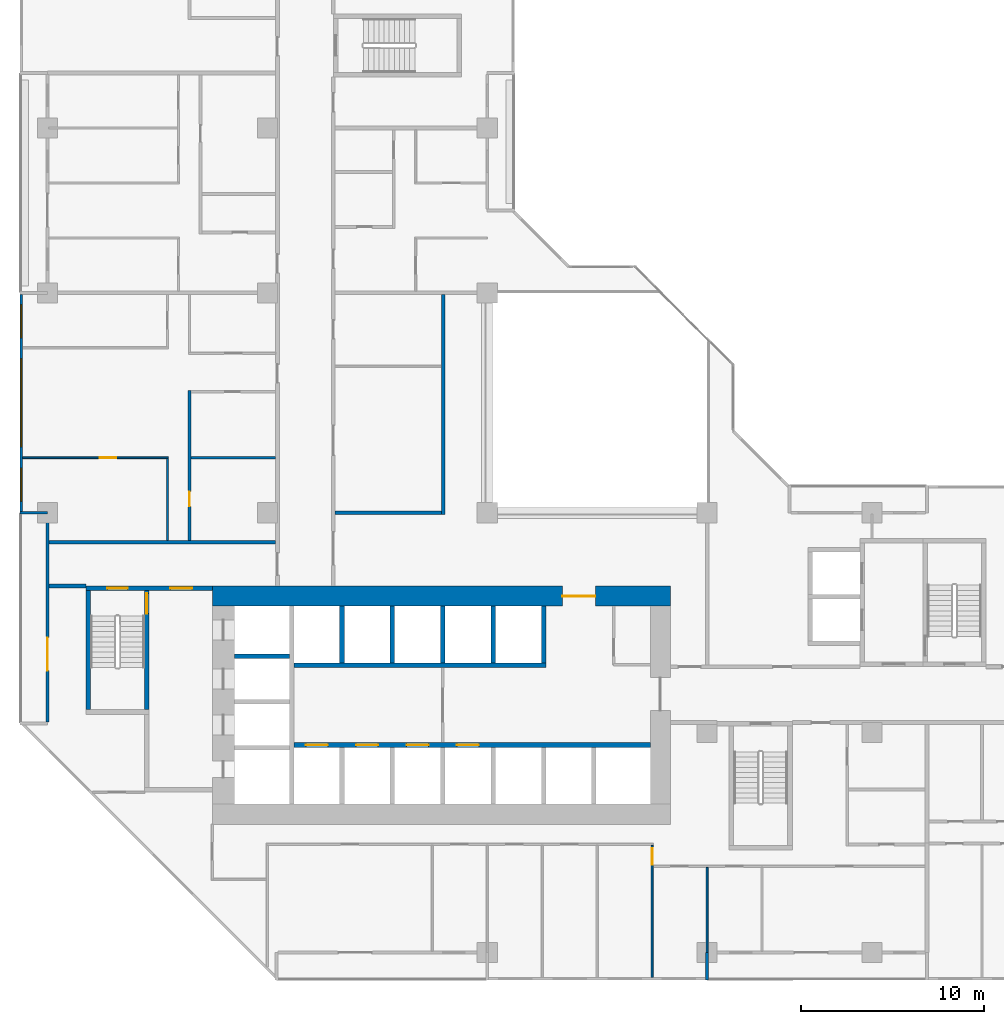
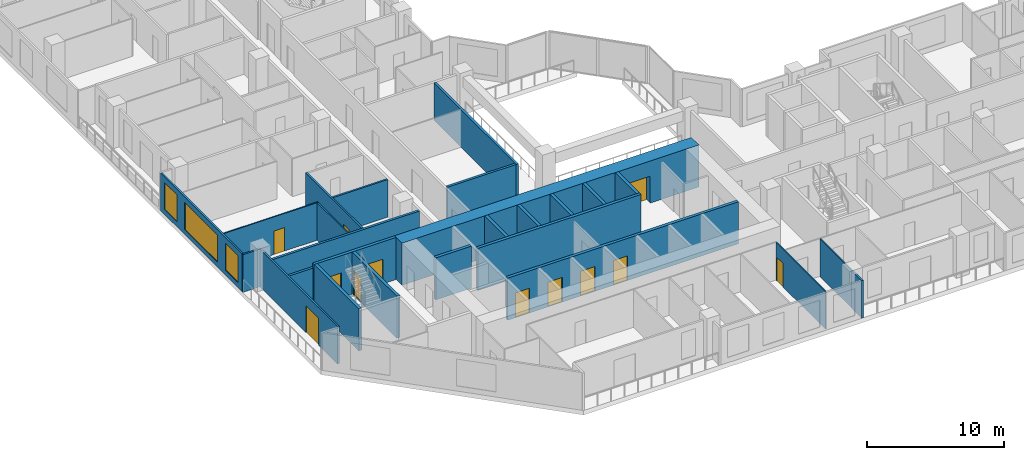
# One storey, part 5 of 16: 26 walls, 12 doors, 3 windows, 15 openings.
"""IFC4 building model written with IfcOpenShell, lengths in metres."""

from ifc_helpers import new_model, si_unit, direction, frame, frame_2d, origin, place, context, subcontext, project, spatial, rectangle, extrude, material, layer, layer_set, type_object, element, fill, save


model = new_model("IFC4")

# Units and contexts
model_context = context("Model", 3, precision=1e-05, world=origin(), true_north=direction((0.0, 1.0)))
body_context = subcontext(model_context, "Body", "Model", "MODEL_VIEW")
ifc_project = project(units=[si_unit("LENGTHUNIT", "METRE"), si_unit("AREAUNIT", "SQUARE_METRE"), si_unit("VOLUMEUNIT", "CUBIC_METRE"), si_unit("PLANEANGLEUNIT", "RADIAN"), si_unit("MASSUNIT", "GRAM", prefix="KILO")], contexts=[model_context])

# Site, building, storey
site_placement = place(None, origin())
site = spatial("IfcSite", under=ifc_project, at=site_placement, CompositionType="ELEMENT")
building_placement = place(site_placement, origin())
building = spatial("IfcBuilding", under=site, at=building_placement, Name="Chenar Terraces", CompositionType="ELEMENT")
storey_placement = place(building_placement, frame((0.0, 0.0, 75.14990234375)))
storey = spatial("IfcBuildingStorey", under=building, at=storey_placement, Name="L16", CompositionType="ELEMENT", Elevation=75.14990234375)

# Wall, opening, door
ifc_material_1 = material(Name="Concrete C70/85", Category="concrete")
ifc_layer_1 = layer(ifc_material_1, 1.10009765625)
ifc_layer_set_1 = layer_set([ifc_layer_1], Name="Concrete C70/85")
wall_type_1 = type_object("IfcWallType", Name="Core wall 1100 Concrete C70/85", PredefinedType="SHEAR", material=ifc_layer_set_1)
wall_1_placement = place(storey_placement, frame((9.0, 19.449951171875, 0.0), z_axis=(0.0, 0.0, 1.0), x_axis=(1.0, 0.0, 0.0)))
wall_1 = element("IfcWall", 1, at=wall_1_placement, inside=storey, type_object=wall_type_1, Name="Core wall N L16", PredefinedType="SHEAR", context=body_context, shape_type="SweptSolid", body=[
    extrude(rectangle(XDim=25.0, YDim=1.10009765625, at=frame_2d((12.5, 0.0))), origin(), (0.0, 0.0, 1.0), 3.75),
])
opening_1_placement = place(wall_1_placement, frame((19.10009765625, 0.0, 0.0)))
opening_1 = element("IfcOpeningElement", 2, at=opening_1_placement, cuts=wall_1, Name="Opening DL16-C2", PredefinedType="OPENING", context=body_context, shape_type="SweptSolid", body=[
    extrude(rectangle(XDim=1.800048828125, YDim=2.39990234375, at=frame_2d((0.89990234375, 1.199951171875))), frame((0.0, 0.56005859375, 0.0), z_axis=(0.0, -1.0, 0.0), x_axis=(1.0, 0.0, 0.0)), (0.0, 0.0, 1.0), 1.1201171875),
])
ifc_material_2 = material(Name="Steel-framed fire-resisting door leaf", Category="steel")
door_type_1 = type_object("IfcDoorType", Name="Core entrance double fire door FD60 1800 x 2400", OperationType="DOUBLE_DOOR_SINGLE_SWING", PredefinedType="DOOR", material=ifc_material_2)
door_1_placement = place(opening_1_placement, frame((1.800048828125, 0.0, 0.0), z_axis=(0.0, 0.0, 1.0), x_axis=(-1.0, 0.0, 0.0)))
door_1 = element("IfcDoor", 3, at=door_1_placement, inside=storey, type_object=door_type_1, Name="Core door DL16-C2", OperationType="DOUBLE_DOOR_SINGLE_SWING", OverallHeight=2.39990234375, OverallWidth=1.800048828125, PredefinedType="DOOR", context=body_context, shape_type="SweptSolid", body=[
    extrude(rectangle(XDim=1.800048828125, YDim=2.39990234375, at=frame_2d((0.89990234375, 1.199951171875))), frame((0.0, 0.02490234375, 0.0), z_axis=(0.0, -1.0, 0.0), x_axis=(1.0, 0.0, 0.0)), (0.0, 0.0, 1.0), 0.050048828125),
])
fill(opening_1, door_1)

# Wall, openings, doors
ifc_material_3 = material(Name="Concrete C70/85", Category="concrete")
ifc_layer_2 = layer(ifc_material_3, 0.25)
ifc_layer_set_2 = layer_set([ifc_layer_2], Name="Concrete C70/85")
wall_type_2 = type_object("IfcWallType", Name="Core wall 250 Concrete C70/85", PredefinedType="SHEAR", material=ifc_layer_set_2)
wall_2_placement = place(storey_placement, frame((13.449951171875, 11.324951171875, 0.0), z_axis=(0.0, 0.0, 1.0), x_axis=(1.0, 0.0, 0.0)))
wall_2 = element("IfcWall", 4, at=wall_2_placement, inside=storey, type_object=wall_type_2, Name="Core wall SF L16", PredefinedType="SHEAR", context=body_context, shape_type="SweptSolid", body=[
    extrude(rectangle(XDim=19.449951171875, YDim=0.25, at=frame_2d((9.72509765625, 0.0))), origin(), (0.0, 0.0, 1.0), 3.75),
])
opening_2_placement = place(wall_2_placement, frame((0.64990234375, 0.0, 0.0)))
opening_2 = element("IfcOpeningElement", 5, at=opening_2_placement, cuts=wall_2, Name="Opening DL16-LD1", PredefinedType="OPENING", context=body_context, shape_type="SweptSolid", body=[
    extrude(rectangle(XDim=1.199951171875, YDim=2.199951171875, at=frame_2d((0.60009765625, 1.10009765625))), frame((0.0, 0.135009765625, 0.0), z_axis=(0.0, -1.0, 0.0), x_axis=(1.0, 0.0, 0.0)), (0.0, 0.0, 1.0), 0.27001953125),
])
opening_3_placement = place(wall_2_placement, frame((3.39990234375, 0.0, 0.0)))
opening_3 = element("IfcOpeningElement", 6, at=opening_3_placement, cuts=wall_2, Name="Opening DL16-LD2", PredefinedType="OPENING", context=body_context, shape_type="SweptSolid", body=[
    extrude(rectangle(XDim=1.199951171875, YDim=2.199951171875, at=frame_2d((0.60009765625, 1.10009765625))), frame((0.0, 0.135009765625, 0.0), z_axis=(0.0, -1.0, 0.0), x_axis=(1.0, 0.0, 0.0)), (0.0, 0.0, 1.0), 0.27001953125),
])
opening_4_placement = place(wall_2_placement, frame((6.14990234375, 0.0, 0.0)))
opening_4 = element("IfcOpeningElement", 7, at=opening_4_placement, cuts=wall_2, Name="Opening DL16-LD3", PredefinedType="OPENING", context=body_context, shape_type="SweptSolid", body=[
    extrude(rectangle(XDim=1.199951171875, YDim=2.199951171875, at=frame_2d((0.60009765625, 1.10009765625))), frame((0.0, 0.135009765625, 0.0), z_axis=(0.0, -1.0, 0.0), x_axis=(1.0, 0.0, 0.0)), (0.0, 0.0, 1.0), 0.27001953125),
])
opening_5_placement = place(wall_2_placement, frame((8.89990234375, 0.0, 0.0)))
opening_5 = element("IfcOpeningElement", 8, at=opening_5_placement, cuts=wall_2, Name="Opening DL16-LD4", PredefinedType="OPENING", context=body_context, shape_type="SweptSolid", body=[
    extrude(rectangle(XDim=1.199951171875, YDim=2.199951171875, at=frame_2d((0.60009765625, 1.10009765625))), frame((0.0, 0.135009765625, 0.0), z_axis=(0.0, -1.0, 0.0), x_axis=(1.0, 0.0, 0.0)), (0.0, 0.0, 1.0), 0.27001953125),
])
ifc_material_4 = material(Name="Stainless steel", Category="steel")
door_type_2 = type_object("IfcDoorType", Name="Lift landing door 1200 x 2200 sliding", OperationType="DOUBLE_DOOR_SLIDING", PredefinedType="DOOR", material=ifc_material_4)
door_2_placement = place(opening_2_placement, origin())
door_2 = element("IfcDoor", 9, at=door_2_placement, inside=storey, type_object=door_type_2, Name="Landing door L1", OperationType="DOUBLE_DOOR_SLIDING", OverallHeight=2.199951171875, OverallWidth=1.199951171875, PredefinedType="DOOR", context=body_context, shape_type="SweptSolid", body=[
    extrude(rectangle(XDim=1.199951171875, YDim=2.199951171875, at=frame_2d((0.60009765625, 1.10009765625))), frame((0.0, 0.02490234375, 0.0), z_axis=(0.0, -1.0, 0.0), x_axis=(1.0, 0.0, 0.0)), (0.0, 0.0, 1.0), 0.050048828125),
])
fill(opening_2, door_2)
door_3_placement = place(opening_3_placement, origin())
door_3 = element("IfcDoor", 10, at=door_3_placement, inside=storey, type_object=door_type_2, Name="Landing door L2", OperationType="DOUBLE_DOOR_SLIDING", OverallHeight=2.199951171875, OverallWidth=1.199951171875, PredefinedType="DOOR", context=body_context, shape_type="SweptSolid", body=[
    extrude(rectangle(XDim=1.199951171875, YDim=2.199951171875, at=frame_2d((0.60009765625, 1.10009765625))), frame((0.0, 0.02490234375, 0.0), z_axis=(0.0, -1.0, 0.0), x_axis=(1.0, 0.0, 0.0)), (0.0, 0.0, 1.0), 0.050048828125),
])
fill(opening_3, door_3)
door_4_placement = place(opening_4_placement, origin())
door_4 = element("IfcDoor", 11, at=door_4_placement, inside=storey, type_object=door_type_2, Name="Landing door L3", OperationType="DOUBLE_DOOR_SLIDING", OverallHeight=2.199951171875, OverallWidth=1.199951171875, PredefinedType="DOOR", context=body_context, shape_type="SweptSolid", body=[
    extrude(rectangle(XDim=1.199951171875, YDim=2.199951171875, at=frame_2d((0.60009765625, 1.10009765625))), frame((0.0, 0.02490234375, 0.0), z_axis=(0.0, -1.0, 0.0), x_axis=(1.0, 0.0, 0.0)), (0.0, 0.0, 1.0), 0.050048828125),
])
fill(opening_4, door_4)
door_5_placement = place(opening_5_placement, origin())
door_5 = element("IfcDoor", 12, at=door_5_placement, inside=storey, type_object=door_type_2, Name="Landing door L4", OperationType="DOUBLE_DOOR_SLIDING", OverallHeight=2.199951171875, OverallWidth=1.199951171875, PredefinedType="DOOR", context=body_context, shape_type="SweptSolid", body=[
    extrude(rectangle(XDim=1.199951171875, YDim=2.199951171875, at=frame_2d((0.60009765625, 1.10009765625))), frame((0.0, 0.02490234375, 0.0), z_axis=(0.0, -1.0, 0.0), x_axis=(1.0, 0.0, 0.0)), (0.0, 0.0, 1.0), 0.050048828125),
])
fill(opening_5, door_5)

# Walls
wall_3_placement = place(storey_placement, frame((13.449951171875, 15.675048828125, 0.0), z_axis=(0.0, 0.0, 1.0), x_axis=(1.0, 0.0, 0.0)))
element("IfcWall", 13, at=wall_3_placement, inside=storey, type_object=wall_type_2, Name="Core wall NF L16", PredefinedType="SHEAR", context=body_context, shape_type="SweptSolid", body=[
    extrude(rectangle(XDim=13.75, YDim=0.25, at=frame_2d((6.875, 0.0))), origin(), (0.0, 0.0, 1.0), 3.75),
])
wall_4_placement = place(storey_placement, frame((10.199951171875, 16.175048828125, 0.0), z_axis=(0.0, 0.0, 1.0), x_axis=(1.0, 0.0, 0.0)))
element("IfcWall", 14, at=wall_4_placement, inside=storey, type_object=wall_type_2, Name="Core wall HW2 L16", PredefinedType="SHEAR", context=body_context, shape_type="SweptSolid", body=[
    extrude(rectangle(XDim=3.0, YDim=0.25, at=frame_2d((1.5, 0.0))), origin(), (0.0, 0.0, 1.0), 3.75),
])
for number, where, z_axis, x_axis, name in (
    (15, (16.074951171875, 15.800048828125, 0.0), (0.0, 0.0, 1.0), (0.0, 1.0, 0.0), "Core wall NS0 L16"),
    (16, (18.824951171875, 15.800048828125, 0.0), (0.0, 0.0, 1.0), (0.0, 1.0, 0.0), "Core wall NS1 L16"),
    (17, (21.574951171875, 15.800048828125, 0.0), (0.0, 0.0, 1.0), (0.0, 1.0, 0.0), "Core wall NS2 L16"),
    (18, (24.324951171875, 15.800048828125, 0.0), (0.0, 0.0, 1.0), (0.0, 1.0, 0.0), "Core wall NS3 L16"),
    (19, (27.074951171875, 15.800048828125, 0.0), (0.0, 0.0, 1.0), (0.0, 1.0, 0.0), "Core wall NE L16"),
):
    element("IfcWall", number, at=place(storey_placement, frame(where, z_axis=z_axis, x_axis=x_axis)), inside=storey, type_object=wall_type_2, Name=name, PredefinedType="SHEAR", context=body_context, shape_type="SweptSolid", body=[
        extrude(rectangle(XDim=3.099853515625, YDim=0.25, at=frame_2d((1.5498046875, 0.0))), origin(), (0.0, 0.0, 1.0), 3.75),
    ])

# Wall, openings, doors
wall_5_placement = place(storey_placement, frame((2.10009765625, 19.875, 0.0), z_axis=(0.0, 0.0, 1.0), x_axis=(1.0, 0.0, 0.0)))
wall_5 = element("IfcWall", 20, at=wall_5_placement, inside=storey, type_object=wall_type_2, Name="Core wall A_N L16", PredefinedType="SHEAR", context=body_context, shape_type="SweptSolid", body=[
    extrude(rectangle(XDim=6.89990234375, YDim=0.25, at=frame_2d((3.449951171875, 0.0))), origin(), (0.0, 0.0, 1.0), 3.75),
])
opening_6_placement = place(wall_5_placement, frame((1.175048828125, 0.0, 0.0)))
opening_6 = element("IfcOpeningElement", 21, at=opening_6_placement, cuts=wall_5, Name="Opening DL16-C5", PredefinedType="OPENING", context=body_context, shape_type="SweptSolid", body=[
    extrude(rectangle(XDim=1.10009765625, YDim=2.199951171875, at=frame_2d((0.550048828125, 1.10009765625))), frame((0.0, 0.135009765625, 0.0), z_axis=(0.0, -1.0, 0.0), x_axis=(1.0, 0.0, 0.0)), (0.0, 0.0, 1.0), 0.27001953125),
])
opening_7_placement = place(wall_5_placement, frame((4.60009765625, 0.0, 0.0)))
opening_7 = element("IfcOpeningElement", 22, at=opening_7_placement, cuts=wall_5, Name="Opening DL16-C6", PredefinedType="OPENING", context=body_context, shape_type="SweptSolid", body=[
    extrude(rectangle(XDim=1.199951171875, YDim=2.199951171875, at=frame_2d((0.60009765625, 1.10009765625))), frame((0.0, 0.135009765625, 0.0), z_axis=(0.0, -1.0, 0.0), x_axis=(1.0, 0.0, 0.0)), (0.0, 0.0, 1.0), 0.27001953125),
])
ifc_material_5 = material(Name="Steel-framed fire-resisting door leaf", Category="steel")
door_type_3 = type_object("IfcDoorType", Name="Lobby fire door FD60 1200 x 2200", OperationType="SINGLE_SWING_LEFT", PredefinedType="DOOR", material=ifc_material_5)
door_6_placement = place(opening_7_placement, frame((1.199951171875, 0.0, 0.0), z_axis=(0.0, 0.0, 1.0), x_axis=(-1.0, 0.0, 0.0)))
door_6 = element("IfcDoor", 23, at=door_6_placement, inside=storey, type_object=door_type_3, Name="Core door DL16-C6", OperationType="SINGLE_SWING_LEFT", OverallHeight=2.199951171875, OverallWidth=1.199951171875, PredefinedType="DOOR", context=body_context, shape_type="SweptSolid", body=[
    extrude(rectangle(XDim=1.199951171875, YDim=2.199951171875, at=frame_2d((0.60009765625, 1.10009765625))), frame((0.0, 0.02490234375, 0.0), z_axis=(0.0, -1.0, 0.0), x_axis=(1.0, 0.0, 0.0)), (0.0, 0.0, 1.0), 0.050048828125),
])
fill(opening_7, door_6)
ifc_material_6 = material(Name="Steel-framed fire-resisting door leaf", Category="steel")
door_type_4 = type_object("IfcDoorType", Name="Stair fire door FD60 1100 x 2200", OperationType="SINGLE_SWING_LEFT", PredefinedType="DOOR", material=ifc_material_6)
door_7_placement = place(opening_6_placement, origin())
door_7 = element("IfcDoor", 24, at=door_7_placement, inside=storey, type_object=door_type_4, Name="Stair door DL16-C5", OperationType="SINGLE_SWING_LEFT", OverallHeight=2.199951171875, OverallWidth=1.10009765625, PredefinedType="DOOR", context=body_context, shape_type="SweptSolid", body=[
    extrude(rectangle(XDim=1.10009765625, YDim=2.199951171875, at=frame_2d((0.550048828125, 1.10009765625))), frame((0.0, 0.02490234375, 0.0), z_axis=(0.0, -1.0, 0.0), x_axis=(1.0, 0.0, 0.0)), (0.0, 0.0, 1.0), 0.050048828125),
])
fill(opening_6, door_7)

# Wall
wall_6_placement = place(storey_placement, frame((2.22509765625, 13.25, 0.0), z_axis=(0.0, 0.0, 1.0), x_axis=(0.0, 1.0, 0.0)))
element("IfcWall", 25, at=wall_6_placement, inside=storey, type_object=wall_type_2, Name="Core wall ST1_W L16", PredefinedType="SHEAR", context=body_context, shape_type="SweptSolid", body=[
    extrude(rectangle(XDim=6.5, YDim=0.25, at=frame_2d((3.25, 0.0))), origin(), (0.0, 0.0, 1.0), 3.75),
])

# Wall, opening, door
wall_7_placement = place(storey_placement, frame((5.425048828125, 13.25, 0.0), z_axis=(0.0, 0.0, 1.0), x_axis=(0.0, 1.0, 0.0)))
wall_7 = element("IfcWall", 26, at=wall_7_placement, inside=storey, type_object=wall_type_2, Name="Core wall ST1_E L16", PredefinedType="SHEAR", context=body_context, shape_type="SweptSolid", body=[
    extrude(rectangle(XDim=6.5, YDim=0.25, at=frame_2d((3.25, 0.0))), origin(), (0.0, 0.0, 1.0), 3.75),
])
opening_8_placement = place(wall_7_placement, frame((5.25, 0.0, 0.0)))
opening_8 = element("IfcOpeningElement", 27, at=opening_8_placement, cuts=wall_7, Name="Opening DL16-C3", PredefinedType="OPENING", context=body_context, shape_type="SweptSolid", body=[
    extrude(rectangle(XDim=1.10009765625, YDim=2.199951171875, at=frame_2d((0.550048828125, 1.10009765625))), frame((0.0, 0.135009765625, 0.0), z_axis=(0.0, -1.0, 0.0), x_axis=(1.0, 0.0, 0.0)), (0.0, 0.0, 1.0), 0.27001953125),
])
door_8_placement = place(opening_8_placement, origin())
door_8 = element("IfcDoor", 28, at=door_8_placement, inside=storey, type_object=door_type_4, Name="Stair door DL16-C3", OperationType="SINGLE_SWING_RIGHT", OverallHeight=2.199951171875, OverallWidth=1.10009765625, PredefinedType="DOOR", context=body_context, shape_type="SweptSolid", body=[
    extrude(rectangle(XDim=1.10009765625, YDim=2.199951171875, at=frame_2d((0.550048828125, 1.10009765625))), frame((0.0, 0.02490234375, 0.0), z_axis=(0.0, -1.0, 0.0), x_axis=(1.0, 0.0, 0.0)), (0.0, 0.0, 1.0), 0.050048828125),
])
fill(opening_8, door_8)

# Walls
ifc_material_7 = material(Name="Gypsum board on steel studs with fire boards", Category="steel")
ifc_layer_3 = layer(ifc_material_7, 0.199951171875)
ifc_layer_set_3 = layer_set([ifc_layer_3], Name="Gypsum board on steel studs with fire boards")
wall_type_3 = type_object("IfcWallType", Name="Corridor wall 200", PredefinedType="PARTITIONING", material=ifc_layer_set_3)
wall_8_placement = place(storey_placement, frame((0.073974609375, 20.0, 0.0), z_axis=(0.0, 0.0, 1.0), x_axis=(1.0, 0.0, 0.0)))
element("IfcWall", 29, at=wall_8_placement, inside=storey, type_object=wall_type_3, Name="Partition L16-008", PredefinedType="PARTITIONING", context=body_context, shape_type="SweptSolid", body=[
    extrude(rectangle(XDim=2.026123046875, YDim=0.199951171875, at=frame_2d((1.01318359375, 0.0))), origin(), (0.0, 0.0, 1.0), 3.35009765625),
])
wall_9_placement = place(storey_placement, frame((0.073974609375, 22.39990234375, 0.0), z_axis=(0.0, 0.0, 1.0), x_axis=(1.0, 0.0, 0.0)))
element("IfcWall", 30, at=wall_9_placement, inside=storey, type_object=wall_type_3, Name="Partition L16-009", PredefinedType="PARTITIONING", context=body_context, shape_type="SweptSolid", body=[
    extrude(rectangle(XDim=12.3759765625, YDim=0.199951171875, at=frame_2d((6.18798828125, 0.0))), origin(), (0.0, 0.0, 1.0), 3.35009765625),
])
wall_10_placement = place(storey_placement, frame((15.699951171875, 24.0, 0.0), z_axis=(0.0, 0.0, 1.0), x_axis=(1.0, 0.0, 0.0)))
element("IfcWall", 31, at=wall_10_placement, inside=storey, type_object=wall_type_3, Name="Partition L16-038", PredefinedType="PARTITIONING", context=body_context, shape_type="SweptSolid", body=[
    extrude(rectangle(XDim=5.800048828125, YDim=0.199951171875, at=frame_2d((2.89990234375, 0.0))), origin(), (0.0, 0.0, 1.0), 3.35009765625),
])
wall_11_placement = place(storey_placement, frame((21.60009765625, 23.89990234375, 0.0), z_axis=(0.0, 0.0, 1.0), x_axis=(0.0, 1.0, 0.0)))
element("IfcWall", 32, at=wall_11_placement, inside=storey, type_object=wall_type_3, Name="Partition L16-057", PredefinedType="PARTITIONING", context=body_context, shape_type="SweptSolid", body=[
    extrude(rectangle(XDim=12.0, YDim=0.199951171875, at=frame_2d((6.0, 0.0))), origin(), (0.0, 0.0, 1.0), 3.35009765625),
])

# Wall, openings, windows
ifc_material_8 = material(Name="Aluminium framed glazing", Category="aluminium")
ifc_layer_4 = layer(ifc_material_8, 0.14990234375)
ifc_layer_set_4 = layer_set([ifc_layer_4], Name="Aluminium framed glazing")
wall_type_4 = type_object("IfcWallType", Name="Glazed flush facade wall 150", PredefinedType="SOLIDWALL", material=ifc_layer_set_4)
wall_12_placement = place(storey_placement, frame((-1.425048828125, 35.925048828125, 0.0), z_axis=(0.0, 0.0, 1.0), x_axis=(0.0, -1.0, 0.0)))
wall_12 = element("IfcWall", 33, at=wall_12_placement, inside=storey, type_object=wall_type_4, Name="Glazed flush facade wall", PredefinedType="SOLIDWALL", context=body_context, shape_type="SweptSolid", body=[
    extrude(rectangle(XDim=11.85009765625, YDim=0.14990234375, at=frame_2d((5.925048828125, 0.0))), origin(), (0.0, 0.0, 1.0), 3.35009765625),
])
opening_9_placement = place(wall_12_placement, frame((0.5625, 0.0, 0.449951171875)))
opening_9 = element("IfcOpeningElement", 34, at=opening_9_placement, cuts=wall_12, Name="Opening W180x240", PredefinedType="OPENING", context=body_context, shape_type="SweptSolid", body=[
    extrude(rectangle(XDim=1.800048828125, YDim=2.39990234375, at=frame_2d((0.89990234375, 1.199951171875))), frame((0.0, 0.0849609375, 0.0), z_axis=(0.0, -1.0, 0.0), x_axis=(1.0, 0.0, 0.0)), (0.0, 0.0, 1.0), 0.169921875),
])
opening_10_placement = place(wall_12_placement, frame((3.52490234375, 0.0, 0.449951171875)))
opening_10 = element("IfcOpeningElement", 35, at=opening_10_placement, cuts=wall_12, Name="Opening W480x240", PredefinedType="OPENING", context=body_context, shape_type="SweptSolid", body=[
    extrude(rectangle(XDim=4.800048828125, YDim=2.39990234375, at=frame_2d((2.39990234375, 1.199951171875))), frame((0.0, 0.0849609375, 0.0), z_axis=(0.0, -1.0, 0.0), x_axis=(1.0, 0.0, 0.0)), (0.0, 0.0, 1.0), 0.169921875),
])
opening_11_placement = place(wall_12_placement, frame((9.487548828125, 0.0, 0.449951171875)))
opening_11 = element("IfcOpeningElement", 36, at=opening_11_placement, cuts=wall_12, Name="Opening W180x240", PredefinedType="OPENING", context=body_context, shape_type="SweptSolid", body=[
    extrude(rectangle(XDim=1.800048828125, YDim=2.39990234375, at=frame_2d((0.89990234375, 1.199951171875))), frame((0.0, 0.0849609375, 0.0), z_axis=(0.0, -1.0, 0.0), x_axis=(1.0, 0.0, 0.0)), (0.0, 0.0, 1.0), 0.169921875),
])
ifc_material_9 = material(Name="Low emissivity double glazing, aluminium frame", Category="aluminium")
window_type_1 = type_object("IfcWindowType", Name="Fixed light 1800 x 2400", PartitioningType="SINGLE_PANEL", PredefinedType="WINDOW", material=ifc_material_9)
window_1_placement = place(opening_9_placement, origin())
window_1 = element("IfcWindow", 37, at=window_1_placement, inside=storey, type_object=window_type_1, Name="Window", OverallHeight=2.39990234375, OverallWidth=1.800048828125, PartitioningType="SINGLE_PANEL", PredefinedType="WINDOW", context=body_context, shape_type="SweptSolid", body=[
    extrude(rectangle(XDim=1.800048828125, YDim=2.39990234375, at=frame_2d((0.89990234375, 1.199951171875))), frame((0.0, 0.030029296875, 0.0), z_axis=(0.0, -1.0, 0.0), x_axis=(1.0, 0.0, 0.0)), (0.0, 0.0, 1.0), 0.06005859375),
])
fill(opening_9, window_1)
window_2_placement = place(opening_11_placement, origin())
window_2 = element("IfcWindow", 38, at=window_2_placement, inside=storey, type_object=window_type_1, Name="Window", OverallHeight=2.39990234375, OverallWidth=1.800048828125, PartitioningType="SINGLE_PANEL", PredefinedType="WINDOW", context=body_context, shape_type="SweptSolid", body=[
    extrude(rectangle(XDim=1.800048828125, YDim=2.39990234375, at=frame_2d((0.89990234375, 1.199951171875))), frame((0.0, 0.030029296875, 0.0), z_axis=(0.0, -1.0, 0.0), x_axis=(1.0, 0.0, 0.0)), (0.0, 0.0, 1.0), 0.06005859375),
])
fill(opening_11, window_2)
ifc_material_10 = material(Name="Low emissivity double glazing, aluminium frame", Category="aluminium")
window_type_2 = type_object("IfcWindowType", Name="Fixed light 4800 x 2400", PartitioningType="SINGLE_PANEL", PredefinedType="WINDOW", material=ifc_material_10)
window_3_placement = place(opening_10_placement, origin())
window_3 = element("IfcWindow", 39, at=window_3_placement, inside=storey, type_object=window_type_2, Name="Window", OverallHeight=2.39990234375, OverallWidth=4.800048828125, PartitioningType="SINGLE_PANEL", PredefinedType="WINDOW", context=body_context, shape_type="SweptSolid", body=[
    extrude(rectangle(XDim=4.800048828125, YDim=2.39990234375, at=frame_2d((2.39990234375, 1.199951171875))), frame((0.0, 0.030029296875, 0.0), z_axis=(0.0, -1.0, 0.0), x_axis=(1.0, 0.0, 0.0)), (0.0, 0.0, 1.0), 0.06005859375),
])
fill(opening_10, window_3)

# Wall, opening, door
ifc_material_11 = material(Name="Aluminium framed glazing", Category="aluminium")
ifc_layer_5 = layer(ifc_material_11, 0.14990234375)
ifc_layer_set_5 = layer_set([ifc_layer_5], Name="Aluminium framed glazing")
wall_type_5 = type_object("IfcWallType", Name="Glazed loggia back wall 150", PredefinedType="SOLIDWALL", material=ifc_layer_set_5)
wall_13_placement = place(storey_placement, frame((0.0, 23.925048828125, 0.0), z_axis=(0.0, 0.0, 1.0), x_axis=(0.0, -1.0, 0.0)))
wall_13 = element("IfcWall", 40, at=wall_13_placement, inside=storey, type_object=wall_type_5, Name="Glazed loggia back wall", PredefinedType="SOLIDWALL", context=body_context, shape_type="SweptSolid", body=[
    extrude(rectangle(XDim=11.35009765625, YDim=0.14990234375, at=frame_2d((5.675048828125, 0.0))), origin(), (0.0, 0.0, 1.0), 3.35009765625),
])
opening_12_placement = place(wall_13_placement, frame((6.737548828125, 0.0, 0.0)))
opening_12 = element("IfcOpeningElement", 41, at=opening_12_placement, cuts=wall_13, Name="Opening DL16-G4", PredefinedType="OPENING", context=body_context, shape_type="SweptSolid", body=[
    extrude(rectangle(XDim=1.800048828125, YDim=2.39990234375, at=frame_2d((0.89990234375, 1.199951171875))), frame((0.0, 0.0849609375, 0.0), z_axis=(0.0, -1.0, 0.0), x_axis=(1.0, 0.0, 0.0)), (0.0, 0.0, 1.0), 0.169921875),
])
ifc_material_12 = material(Name="Low emissivity double glazing, aluminium frame", Category="aluminium")
door_type_5 = type_object("IfcDoorType", Name="Loggia glazed double door 1800 x 2400", OperationType="DOUBLE_DOOR_SINGLE_SWING", PredefinedType="DOOR", material=ifc_material_12)
door_9_placement = place(opening_12_placement, frame((1.800048828125, 0.0, 0.0), z_axis=(0.0, 0.0, 1.0), x_axis=(-1.0, 0.0, 0.0)))
door_9 = element("IfcDoor", 42, at=door_9_placement, inside=storey, type_object=door_type_5, Name="Loggia glazed door", OperationType="DOUBLE_DOOR_SINGLE_SWING", OverallHeight=2.39990234375, OverallWidth=1.800048828125, PredefinedType="DOOR", context=body_context, shape_type="SweptSolid", body=[
    extrude(rectangle(XDim=1.800048828125, YDim=2.39990234375, at=frame_2d((0.89990234375, 1.199951171875))), frame((0.0, 0.02490234375, 0.0), z_axis=(0.0, -1.0, 0.0), x_axis=(1.0, 0.0, 0.0)), (0.0, 0.0, 1.0), 0.050048828125),
])
fill(opening_12, door_9)

ifc_material_13 = material(Name="Gypsum board on steel studs", Category="steel")
ifc_layer_6 = layer(ifc_material_13, 0.10009765625)
ifc_layer_set_6 = layer_set([ifc_layer_6], Name="Gypsum board on steel studs")
wall_type_6 = type_object("IfcWallType", Name="Gypsum partition 100", PredefinedType="PARTITIONING", material=ifc_layer_set_6)
wall_14_placement = place(storey_placement, frame((-1.35009765625, 27.0, 0.0), z_axis=(0.0, 0.0, 1.0), x_axis=(1.0, 0.0, 0.0)))
wall_14 = element("IfcWall", 43, at=wall_14_placement, inside=storey, type_object=wall_type_6, Name="Partition L16-003", PredefinedType="PARTITIONING", context=body_context, shape_type="SweptSolid", body=[
    extrude(rectangle(XDim=7.9501953125, YDim=0.10009765625, at=frame_2d((3.97509765625, 0.0))), origin(), (0.0, 0.0, 1.0), 3.35009765625),
])
opening_13_placement = place(wall_14_placement, frame((4.199951171875, 0.0, 0.0)))
opening_13 = element("IfcOpeningElement", 44, at=opening_13_placement, cuts=wall_14, Name="Opening DL16-71", PredefinedType="OPENING", context=body_context, shape_type="SweptSolid", body=[
    extrude(rectangle(XDim=0.89990234375, YDim=2.10009765625, at=frame_2d((0.449951171875, 1.050048828125))), frame((0.0, 0.06005859375, 0.0), z_axis=(0.0, -1.0, 0.0), x_axis=(1.0, 0.0, 0.0)), (0.0, 0.0, 1.0), 0.1201171875),
])
ifc_material_14 = material(Name="Veneered timber door leaf", Category="wood")
door_type_6 = type_object("IfcDoorType", Name="Door 900 x 2100", OperationType="SINGLE_SWING_LEFT", PredefinedType="DOOR", material=ifc_material_14)
door_10_placement = place(opening_13_placement, frame((0.89990234375, 0.0, 0.0), z_axis=(0.0, 0.0, 1.0), x_axis=(-1.0, 0.0, 0.0)))
door_10 = element("IfcDoor", 45, at=door_10_placement, inside=storey, type_object=door_type_6, Name="Door DL16-71", OperationType="SINGLE_SWING_LEFT", OverallHeight=2.10009765625, OverallWidth=0.89990234375, PredefinedType="DOOR", context=body_context, shape_type="SweptSolid", body=[
    extrude(rectangle(XDim=0.89990234375, YDim=2.10009765625, at=frame_2d((0.449951171875, 1.050048828125))), frame((0.0, 0.02490234375, 0.0), z_axis=(0.0, -1.0, 0.0), x_axis=(1.0, 0.0, 0.0)), (0.0, 0.0, 1.0), 0.050048828125),
])
fill(opening_13, door_10)

# Wall
wall_15_placement = place(storey_placement, frame((6.550048828125, 22.5, 0.0), z_axis=(0.0, 0.0, 1.0), x_axis=(0.0, 1.0, 0.0)))
element("IfcWall", 46, at=wall_15_placement, inside=storey, type_object=wall_type_6, Name="Partition L16-014", PredefinedType="PARTITIONING", context=body_context, shape_type="SweptSolid", body=[
    extrude(rectangle(XDim=4.449951171875, YDim=0.10009765625, at=frame_2d((2.22509765625, 0.0))), origin(), (0.0, 0.0, 1.0), 3.35009765625),
])

# Wall, opening, door
wall_16_placement = place(storey_placement, frame((33.0, -1.35107421875, 0.0), z_axis=(0.0, 0.0, 1.0), x_axis=(0.0, 1.0, 0.0)))
wall_16 = element("IfcWall", 47, at=wall_16_placement, inside=storey, type_object=wall_type_6, Name="Partition L16-061", PredefinedType="PARTITIONING", context=body_context, shape_type="SweptSolid", body=[
    extrude(rectangle(XDim=7.201171875, YDim=0.10009765625, at=frame_2d((3.6005859375, 0.0))), origin(), (0.0, 0.0, 1.0), 3.35009765625),
])
opening_14_placement = place(wall_16_placement, frame((6.15087890625, 0.0, 0.0)))
opening_14 = element("IfcOpeningElement", 48, at=opening_14_placement, cuts=wall_16, Name="Opening DL16-61", PredefinedType="OPENING", context=body_context, shape_type="SweptSolid", body=[
    extrude(rectangle(XDim=0.89990234375, YDim=2.10009765625, at=frame_2d((0.449951171875, 1.050048828125))), frame((0.0, 0.06005859375, 0.0), z_axis=(0.0, -1.0, 0.0), x_axis=(1.0, 0.0, 0.0)), (0.0, 0.0, 1.0), 0.1201171875),
])
door_11_placement = place(opening_14_placement, origin())
door_11 = element("IfcDoor", 49, at=door_11_placement, inside=storey, type_object=door_type_6, Name="Door DL16-61", OperationType="SINGLE_SWING_RIGHT", OverallHeight=2.10009765625, OverallWidth=0.89990234375, PredefinedType="DOOR", context=body_context, shape_type="SweptSolid", body=[
    extrude(rectangle(XDim=0.89990234375, YDim=2.10009765625, at=frame_2d((0.449951171875, 1.050048828125))), frame((0.0, 0.02490234375, 0.0), z_axis=(0.0, -1.0, 0.0), x_axis=(1.0, 0.0, 0.0)), (0.0, 0.0, 1.0), 0.050048828125),
])
fill(opening_14, door_11)

# Walls
wall_17_placement = place(storey_placement, frame((36.0, 0.0, 0.0), z_axis=(0.0, 0.0, 1.0), x_axis=(0.0, 1.0, 0.0)))
element("IfcWall", 50, at=wall_17_placement, inside=storey, type_object=wall_type_6, Name="Partition L16-065", PredefinedType="PARTITIONING", context=body_context, shape_type="SweptSolid", body=[
    extrude(rectangle(XDim=4.64990234375, YDim=0.10009765625, at=frame_2d((2.324951171875, 0.0))), origin(), (0.0, 0.0, 1.0), 3.35009765625),
])
ifc_material_15 = material(Name="Terracotta cladding on insulated backing", Category="masonry")
ifc_layer_7 = layer(ifc_material_15, 0.14990234375)
ifc_layer_set_7 = layer_set([ifc_layer_7], Name="Terracotta cladding on insulated backing")
wall_type_7 = type_object("IfcWallType", Name="Loggia return wall 150", PredefinedType="SOLIDWALL", material=ifc_layer_set_7)
for number, where, z_axis, x_axis, name in (
    (51, (-1.5, 24.0, 0.0), (0.0, 0.0, 1.0), (1.0, 0.0, 0.0), "Loggia return wall"),
    (52, (36.0, -1.5, 0.0), (0.0, 0.0, 1.0), (0.0, 1.0, 0.0), "Loggia return wall"),
):
    element("IfcWall", number, at=place(storey_placement, frame(where, z_axis=z_axis, x_axis=x_axis)), inside=storey, type_object=wall_type_7, Name=name, PredefinedType="SOLIDWALL", context=body_context, shape_type="SweptSolid", body=[
        extrude(rectangle(XDim=1.5, YDim=0.14990234375, at=frame_2d((0.75, 0.0))), origin(), (0.0, 0.0, 1.0), 3.35009765625),
    ])

# Wall, opening, door
ifc_material_16 = material(Name="Moisture-resistant gypsum board on steel studs", Category="steel")
ifc_layer_8 = layer(ifc_material_16, 0.14990234375)
ifc_layer_set_8 = layer_set([ifc_layer_8], Name="Moisture-resistant gypsum board on steel studs")
wall_type_8 = type_object("IfcWallType", Name="Wet-room partition 150", PredefinedType="PARTITIONING", material=ifc_layer_set_8)
wall_18_placement = place(storey_placement, frame((7.75, 22.5, 0.0), z_axis=(0.0, 0.0, 1.0), x_axis=(0.0, 1.0, 0.0)))
wall_18 = element("IfcWall", 53, at=wall_18_placement, inside=storey, type_object=wall_type_8, Name="Partition L16-020", PredefinedType="PARTITIONING", context=body_context, shape_type="SweptSolid", body=[
    extrude(rectangle(XDim=8.175048828125, YDim=0.14990234375, at=frame_2d((4.08740234375, 0.0))), origin(), (0.0, 0.0, 1.0), 3.35009765625),
])
opening_15_placement = place(wall_18_placement, frame((1.85009765625, 0.0, 0.0)))
opening_15 = element("IfcOpeningElement", 54, at=opening_15_placement, cuts=wall_18, Name="Opening DL16-74", PredefinedType="OPENING", context=body_context, shape_type="SweptSolid", body=[
    extrude(rectangle(XDim=0.800048828125, YDim=2.10009765625, at=frame_2d((0.39990234375, 1.050048828125))), frame((0.0, 0.0849609375, 0.0), z_axis=(0.0, -1.0, 0.0), x_axis=(1.0, 0.0, 0.0)), (0.0, 0.0, 1.0), 0.169921875),
])
ifc_material_17 = material(Name="Veneered timber door leaf", Category="wood")
door_type_7 = type_object("IfcDoorType", Name="Door 800 x 2100", OperationType="SINGLE_SWING_LEFT", PredefinedType="DOOR", material=ifc_material_17)
door_12_placement = place(opening_15_placement, frame((0.800048828125, 0.0, 0.0), z_axis=(0.0, 0.0, 1.0), x_axis=(-1.0, 0.0, 0.0)))
door_12 = element("IfcDoor", 55, at=door_12_placement, inside=storey, type_object=door_type_7, Name="Door DL16-74", OperationType="SINGLE_SWING_LEFT", OverallHeight=2.10009765625, OverallWidth=0.800048828125, PredefinedType="DOOR", context=body_context, shape_type="SweptSolid", body=[
    extrude(rectangle(XDim=0.800048828125, YDim=2.10009765625, at=frame_2d((0.39990234375, 1.050048828125))), frame((0.0, 0.02490234375, 0.0), z_axis=(0.0, -1.0, 0.0), x_axis=(1.0, 0.0, 0.0)), (0.0, 0.0, 1.0), 0.050048828125),
])
fill(opening_15, door_12)

# Wall
wall_19_placement = place(storey_placement, frame((7.824951171875, 27.0, 0.0), z_axis=(0.0, 0.0, 1.0), x_axis=(1.0, 0.0, 0.0)))
element("IfcWall", 56, at=wall_19_placement, inside=storey, type_object=wall_type_8, Name="Partition L16-023", PredefinedType="PARTITIONING", context=body_context, shape_type="SweptSolid", body=[
    extrude(rectangle(XDim=4.625, YDim=0.14990234375, at=frame_2d((2.3125, 0.0))), origin(), (0.0, 0.0, 1.0), 3.35009765625),
])

save(model, "model.ifc")
